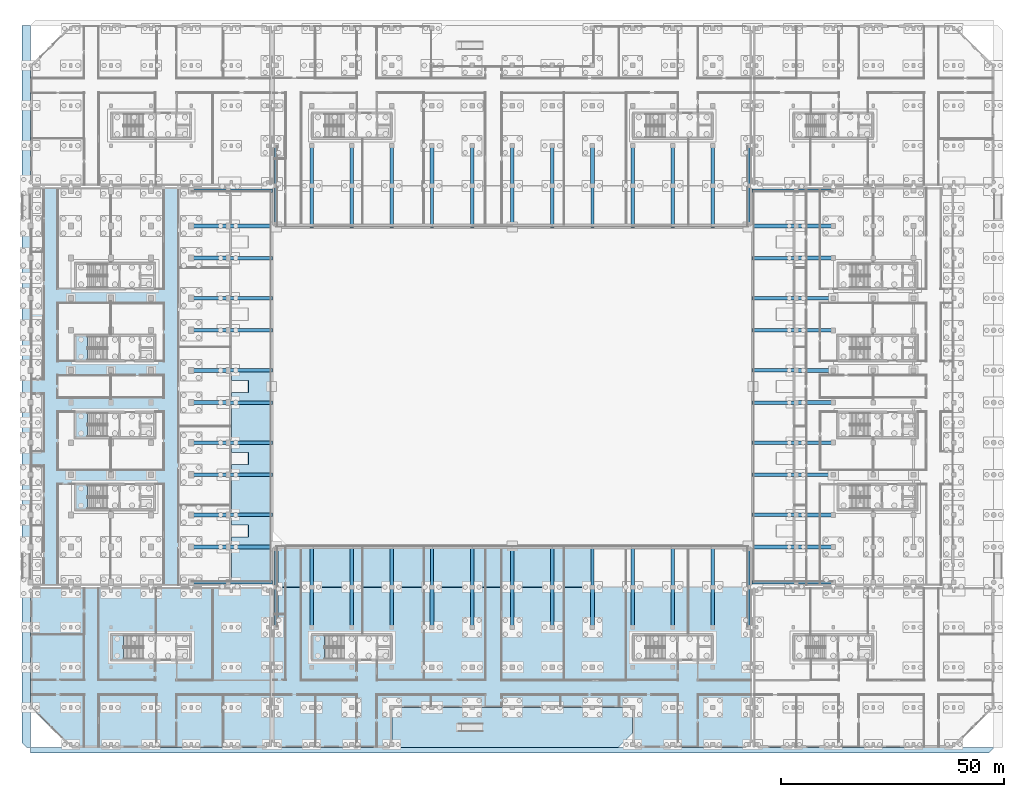
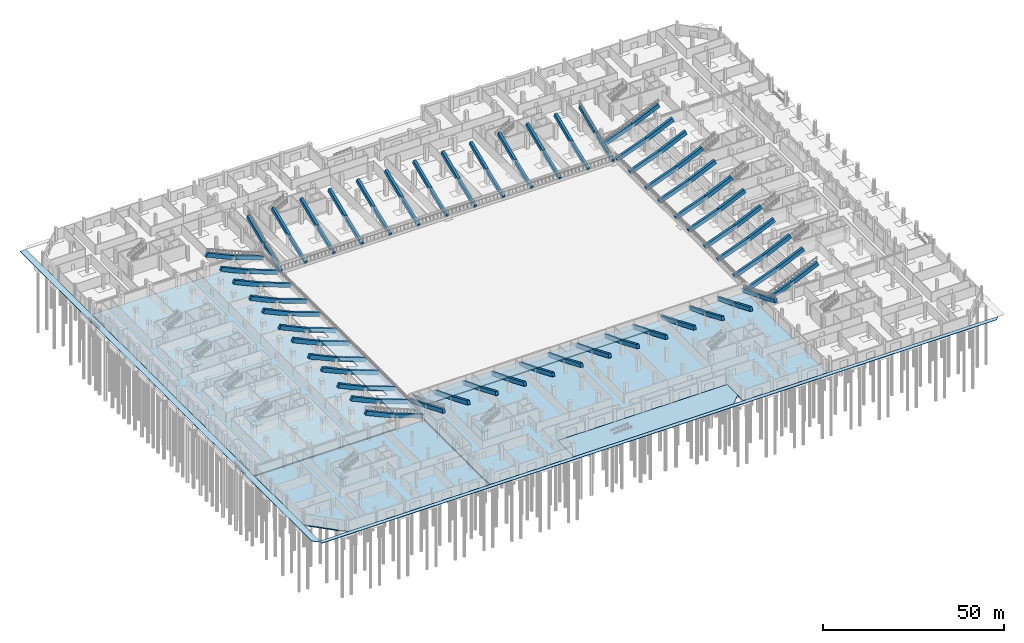
# One storey, part 11 of 53: 100 beams, 25 slabs, 5 elements without a shape of their own.
"""IFC4 building model written with IfcOpenShell, lengths in metres."""

from ifc_helpers import new_model, si_unit, direction, frame, origin, origin_2d, place, context, subcontext, project, spatial, polyline, rectangle, outline, extrude, material, layer, layer_set, material_profile, profile_set, type_object, element, aggregate, save


model = new_model("IFC4")

# Units and contexts
model_context = context("Model", 3, precision=1e-05, world=origin(), true_north=direction((0.0, 1.0)))
body_context = subcontext(model_context, "Body", "Model", "MODEL_VIEW")
ifc_project = project(units=[si_unit("LENGTHUNIT", "METRE"), si_unit("AREAUNIT", "SQUARE_METRE"), si_unit("VOLUMEUNIT", "CUBIC_METRE"), si_unit("PLANEANGLEUNIT", "RADIAN"), si_unit("MASSUNIT", "GRAM", prefix="KILO"), si_unit("THERMODYNAMICTEMPERATUREUNIT", "KELVIN"), si_unit("POWERUNIT", "WATT")], contexts=[model_context])

# Site, building, storey
site_placement = place(None, origin())
site = spatial("IfcSite", under=ifc_project, at=site_placement, CompositionType="ELEMENT")
building_placement = place(site_placement, origin())
building = spatial("IfcBuilding", under=site, at=building_placement, Name="Sindhuravela Promenade Stadium", CompositionType="ELEMENT")
storey_placement = place(building_placement, origin())
storey = spatial("IfcBuildingStorey", under=building, at=storey_placement, Name="L00", CompositionType="ELEMENT", Elevation=0.0)

# Beams
ifc_material_1 = material(Name="Concrete M50", Category="concrete")
ifc_material_profile_1 = material_profile(ifc_material_1, rectangle(XDim=0.75, YDim=1.14990234375, at=origin_2d()), Name="RC 750x1150")
ifc_profile_set_1 = profile_set([ifc_material_profile_1], Name="Concrete M50")
beam_type_1 = type_object("IfcBeamType", Name="RC-RK-750x1150", PredefinedType="USERDEFINED", material=ifc_profile_set_1)
for number, where, z_axis, x_axis, name in (
    (1, (55.10009765625, 45.25, 0.780029296875), (0.0, -0.9329267578556394, 0.3600661945767265), (1.0, 0.0, 0.0), "Lower raker beam RK05 South 25A"),
    (2, (55.10009765625, 116.75, 0.780029296875), (0.0, 0.9329267578556394, 0.3600661945767265), (-1.0, 0.0, 0.0), "Lower raker beam RK05 North 26A"),
    (3, (63.0, 45.25, 0.780029296875), (0.0, -0.9329267578556394, 0.3600661945767265), (1.0, 0.0, 0.0), "Lower raker beam RK05 South 27A"),
    (4, (63.0, 116.75, 0.780029296875), (0.0, 0.9329267578556394, 0.3600661945767265), (-1.0, 0.0, 0.0), "Lower raker beam RK05 North 28A"),
    (5, (72.0, 45.25, 0.780029296875), (0.0, -0.9329267578556394, 0.3600661945767265), (1.0, 0.0, 0.0), "Lower raker beam RK05 South 29A"),
    (6, (72.0, 116.75, 0.780029296875), (0.0, 0.9329267578556394, 0.3600661945767265), (-1.0, 0.0, 0.0), "Lower raker beam RK05 North 30A"),
    (7, (81.0, 45.25, 0.780029296875), (0.0, -0.9329267578556394, 0.3600661945767265), (1.0, 0.0, 0.0), "Lower raker beam RK05 South 31A"),
    (8, (81.0, 116.75, 0.780029296875), (0.0, 0.9329267578556394, 0.3600661945767265), (-1.0, 0.0, 0.0), "Lower raker beam RK05 North 32A"),
    (9, (90.0, 45.25, 0.780029296875), (0.0, -0.9329267578556394, 0.3600661945767265), (1.0, 0.0, 0.0), "Lower raker beam RK05 South 33A"),
    (10, (90.0, 116.75, 0.780029296875), (0.0, 0.9329267578556394, 0.3600661945767265), (-1.0, 0.0, 0.0), "Lower raker beam RK05 North 34A"),
    (11, (99.0, 45.25, 0.780029296875), (0.0, -0.9329267578556394, 0.3600661945767265), (1.0, 0.0, 0.0), "Lower raker beam RK05 South 35A"),
    (12, (99.0, 116.75, 0.780029296875), (0.0, 0.9329267578556394, 0.3600661945767265), (-1.0, 0.0, 0.0), "Lower raker beam RK05 North 36A"),
    (13, (108.0, 45.25, 0.780029296875), (0.0, -0.9329267578556394, 0.3600661945767265), (1.0, 0.0, 0.0), "Lower raker beam RK05 South 37A"),
    (14, (108.0, 116.75, 0.780029296875), (0.0, 0.9329267578556394, 0.3600661945767265), (-1.0, 0.0, 0.0), "Lower raker beam RK05 North 38A"),
    (15, (117.0, 45.25, 0.780029296875), (0.0, -0.9329267578556394, 0.3600661945767265), (1.0, 0.0, 0.0), "Lower raker beam RK05 South 39A"),
    (16, (117.0, 116.75, 0.780029296875), (0.0, 0.9329267578556394, 0.3600661945767265), (-1.0, 0.0, 0.0), "Lower raker beam RK05 North 40A"),
    (17, (126.0, 45.25, 0.780029296875), (0.0, -0.9329267578556394, 0.3600661945767265), (1.0, 0.0, 0.0), "Lower raker beam RK05 South 41A"),
    (18, (126.0, 116.75, 0.780029296875), (0.0, 0.9329267578556394, 0.3600661945767265), (-1.0, 0.0, 0.0), "Lower raker beam RK05 North 42A"),
    (19, (135.0, 45.25, 0.780029296875), (0.0, -0.9329267578556394, 0.3600661945767265), (1.0, 0.0, 0.0), "Lower raker beam RK05 South 43A"),
    (20, (135.0, 116.75, 0.780029296875), (0.0, 0.9329267578556394, 0.3600661945767265), (-1.0, 0.0, 0.0), "Lower raker beam RK05 North 44A"),
    (21, (144.0, 45.25, 0.780029296875), (0.0, -0.9329267578556394, 0.3600661945767265), (1.0, 0.0, 0.0), "Lower raker beam RK05 South 45A"),
    (22, (144.0, 116.75, 0.780029296875), (0.0, 0.9329267578556394, 0.3600661945767265), (-1.0, 0.0, 0.0), "Lower raker beam RK05 North 46A"),
    (23, (153.0, 45.25, 0.780029296875), (0.0, -0.9329267578556394, 0.3600661945767265), (1.0, 0.0, 0.0), "Lower raker beam RK05 South 47A"),
    (24, (153.0, 116.75, 0.780029296875), (0.0, 0.9329267578556394, 0.3600661945767265), (-1.0, 0.0, 0.0), "Lower raker beam RK05 North 48A"),
    (25, (160.89990234375, 45.25, 0.780029296875), (0.0, -0.9329267578556394, 0.3600661945767265), (1.0, 0.0, 0.0), "Lower raker beam RK05 South 49A"),
    (26, (160.89990234375, 116.75, 0.780029296875), (0.0, 0.9329267578556394, 0.3600661945767265), (-1.0, 0.0, 0.0), "Lower raker beam RK05 North 50A"),
):
    element("IfcBeam", number, at=place(storey_placement, frame(where, z_axis=z_axis, x_axis=x_axis)), inside=storey, type_object=beam_type_1, Name=name, ObjectType="RAKER", PredefinedType="USERDEFINED", context=body_context, shape_type="SweptSolid", body=[
        extrude(rectangle(XDim=0.75, YDim=1.14990234375, at=origin_2d()), origin(), (0.0, 0.0, 1.0), 9.9150390625),
    ])
ifc_material_profile_2 = material_profile(ifc_material_1, rectangle(XDim=0.800048828125, YDim=1.25, at=origin_2d()), Name="RC 800x1250")
ifc_profile_set_2 = profile_set([ifc_material_profile_2], Name="Concrete M50")
beam_type_2 = type_object("IfcBeamType", Name="RC-RK-800x1250", PredefinedType="USERDEFINED", material=ifc_profile_set_2)
for number, where, z_axis, x_axis, name in (
    (27, (54.0, 37.10009765625, 0.780029296875), (-0.9384559830604658, 0.0, 0.3453988532957437), (0.0, -1.0, 0.0), "Lower raker beam RK04 West 1A"),
    (28, (54.0, 45.0, 0.780029296875), (-0.9384559830604658, 0.0, 0.3453988532957437), (0.0, -1.0, 0.0), "Lower raker beam RK04 West 2A"),
    (29, (54.0, 52.199951171875, 0.780029296875), (-0.9384559830604658, 0.0, 0.3453988532957437), (0.0, -1.0, 0.0), "Lower raker beam RK04 West 3A"),
    (30, (54.0, 61.199951171875, 0.780029296875), (-0.9384559830604658, 0.0, 0.3453988532957437), (0.0, -1.0, 0.0), "Lower raker beam RK04 West 4A"),
    (31, (54.0, 68.39990234375, 0.780029296875), (-0.9384559830604658, 0.0, 0.3453988532957437), (0.0, -1.0, 0.0), "Lower raker beam RK04 West 5A"),
    (32, (54.0, 77.39990234375, 0.780029296875), (-0.9384559830604658, 0.0, 0.3453988532957437), (0.0, -1.0, 0.0), "Lower raker beam RK04 West 6A"),
    (33, (54.0, 84.60009765625, 0.780029296875), (-0.9384559830604658, 0.0, 0.3453988532957437), (0.0, -1.0, 0.0), "Lower raker beam RK04 West 7A"),
    (34, (54.0, 93.60009765625, 0.780029296875), (-0.9384559830604658, 0.0, 0.3453988532957437), (0.0, -1.0, 0.0), "Lower raker beam RK04 West 8A"),
    (35, (54.0, 100.800048828125, 0.780029296875), (-0.9384559830604658, 0.0, 0.3453988532957437), (0.0, -1.0, 0.0), "Lower raker beam RK04 West 9A"),
    (36, (54.0, 109.800048828125, 0.780029296875), (-0.9384559830604658, 0.0, 0.3453988532957437), (0.0, -1.0, 0.0), "Lower raker beam RK04 West 10A"),
    (37, (54.0, 117.0, 0.780029296875), (-0.9384559830604658, 0.0, 0.3453988532957437), (0.0, -1.0, 0.0), "Lower raker beam RK04 West 11A"),
    (38, (54.0, 124.89990234375, 0.780029296875), (-0.9384559830604658, 0.0, 0.3453988532957437), (0.0, -1.0, 0.0), "Lower raker beam RK04 West 12A"),
    (39, (162.0, 37.10009765625, 0.780029296875), (0.9384559830604658, 0.0, 0.3453988532957437), (0.0, 1.0, 0.0), "Lower raker beam RK04 East 13A"),
    (40, (162.0, 45.0, 0.780029296875), (0.9384559830604658, 0.0, 0.3453988532957437), (0.0, 1.0, 0.0), "Lower raker beam RK04 East 14A"),
    (41, (162.0, 52.199951171875, 0.780029296875), (0.9384559830604658, 0.0, 0.3453988532957437), (0.0, 1.0, 0.0), "Lower raker beam RK04 East 15A"),
    (42, (162.0, 61.199951171875, 0.780029296875), (0.9384559830604658, 0.0, 0.3453988532957437), (0.0, 1.0, 0.0), "Lower raker beam RK04 East 16A"),
    (43, (162.0, 68.39990234375, 0.780029296875), (0.9384559830604658, 0.0, 0.3453988532957437), (0.0, 1.0, 0.0), "Lower raker beam RK04 East 17A"),
    (44, (162.0, 77.39990234375, 0.780029296875), (0.9384559830604658, 0.0, 0.3453988532957437), (0.0, 1.0, 0.0), "Lower raker beam RK04 East 18A"),
    (45, (162.0, 84.60009765625, 0.780029296875), (0.9384559830604658, 0.0, 0.3453988532957437), (0.0, 1.0, 0.0), "Lower raker beam RK04 East 19A"),
    (46, (162.0, 93.60009765625, 0.780029296875), (0.9384559830604658, 0.0, 0.3453988532957437), (0.0, 1.0, 0.0), "Lower raker beam RK04 East 20A"),
    (47, (162.0, 100.800048828125, 0.780029296875), (0.9384559830604658, 0.0, 0.3453988532957437), (0.0, 1.0, 0.0), "Lower raker beam RK04 East 21A"),
    (48, (162.0, 109.800048828125, 0.780029296875), (0.9384559830604658, 0.0, 0.3453988532957437), (0.0, 1.0, 0.0), "Lower raker beam RK04 East 22A"),
    (49, (162.0, 117.0, 0.780029296875), (0.9384559830604658, 0.0, 0.3453988532957437), (0.0, 1.0, 0.0), "Lower raker beam RK04 East 23A"),
    (50, (162.0, 124.89990234375, 0.780029296875), (0.9384559830604658, 0.0, 0.3453988532957437), (0.0, 1.0, 0.0), "Lower raker beam RK04 East 24A"),
):
    element("IfcBeam", number, at=place(storey_placement, frame(where, z_axis=z_axis, x_axis=x_axis)), inside=storey, type_object=beam_type_2, Name=name, ObjectType="RAKER", PredefinedType="USERDEFINED", context=body_context, shape_type="SweptSolid", body=[
        extrude(rectangle(XDim=0.800048828125, YDim=1.25, at=origin_2d()), origin(), (0.0, 0.0, 1.0), 10.336181640625),
    ])
for number, where, z_axis, x_axis, name in (
    (51, (55.10009765625, 36.0, 4.35009765625), (0.0, -0.9212567253920306, 0.38895506928172646), (1.0, 0.0, 0.0), "Lower raker beam RK04 South 25B"),
    (52, (55.10009765625, 126.0, 4.35009765625), (0.0, 0.9212567253920306, 0.38895506928172646), (-1.0, 0.0, 0.0), "Lower raker beam RK04 North 26B"),
    (53, (63.0, 36.0, 4.35009765625), (0.0, -0.9212567253920306, 0.38895506928172646), (1.0, 0.0, 0.0), "Lower raker beam RK04 South 27B"),
    (54, (63.0, 126.0, 4.35009765625), (0.0, 0.9212567253920306, 0.38895506928172646), (-1.0, 0.0, 0.0), "Lower raker beam RK04 North 28B"),
    (55, (72.0, 36.0, 4.35009765625), (0.0, -0.9212567253920306, 0.38895506928172646), (1.0, 0.0, 0.0), "Lower raker beam RK04 South 29B"),
    (56, (72.0, 126.0, 4.35009765625), (0.0, 0.9212567253920306, 0.38895506928172646), (-1.0, 0.0, 0.0), "Lower raker beam RK04 North 30B"),
    (57, (81.0, 36.0, 4.35009765625), (0.0, -0.9212567253920306, 0.38895506928172646), (1.0, 0.0, 0.0), "Lower raker beam RK04 South 31B"),
    (58, (81.0, 126.0, 4.35009765625), (0.0, 0.9212567253920306, 0.38895506928172646), (-1.0, 0.0, 0.0), "Lower raker beam RK04 North 32B"),
    (59, (90.0, 36.0, 4.35009765625), (0.0, -0.9212567253920306, 0.38895506928172646), (1.0, 0.0, 0.0), "Lower raker beam RK04 South 33B"),
    (60, (90.0, 126.0, 4.35009765625), (0.0, 0.9212567253920306, 0.38895506928172646), (-1.0, 0.0, 0.0), "Lower raker beam RK04 North 34B"),
    (61, (99.0, 36.0, 4.35009765625), (0.0, -0.9212567253920306, 0.38895506928172646), (1.0, 0.0, 0.0), "Lower raker beam RK04 South 35B"),
    (62, (99.0, 126.0, 4.35009765625), (0.0, 0.9212567253920306, 0.38895506928172646), (-1.0, 0.0, 0.0), "Lower raker beam RK04 North 36B"),
    (63, (108.0, 36.0, 4.35009765625), (0.0, -0.9212567253920306, 0.38895506928172646), (1.0, 0.0, 0.0), "Lower raker beam RK04 South 37B"),
    (64, (108.0, 126.0, 4.35009765625), (0.0, 0.9212567253920306, 0.38895506928172646), (-1.0, 0.0, 0.0), "Lower raker beam RK04 North 38B"),
    (65, (117.0, 36.0, 4.35009765625), (0.0, -0.9212567253920306, 0.38895506928172646), (1.0, 0.0, 0.0), "Lower raker beam RK04 South 39B"),
    (66, (117.0, 126.0, 4.35009765625), (0.0, 0.9212567253920306, 0.38895506928172646), (-1.0, 0.0, 0.0), "Lower raker beam RK04 North 40B"),
    (67, (126.0, 36.0, 4.35009765625), (0.0, -0.9212567253920306, 0.38895506928172646), (1.0, 0.0, 0.0), "Lower raker beam RK04 South 41B"),
    (68, (126.0, 126.0, 4.35009765625), (0.0, 0.9212567253920306, 0.38895506928172646), (-1.0, 0.0, 0.0), "Lower raker beam RK04 North 42B"),
    (69, (135.0, 36.0, 4.35009765625), (0.0, -0.9212567253920306, 0.38895506928172646), (1.0, 0.0, 0.0), "Lower raker beam RK04 South 43B"),
    (70, (135.0, 126.0, 4.35009765625), (0.0, 0.9212567253920306, 0.38895506928172646), (-1.0, 0.0, 0.0), "Lower raker beam RK04 North 44B"),
    (71, (144.0, 36.0, 4.35009765625), (0.0, -0.9212567253920306, 0.38895506928172646), (1.0, 0.0, 0.0), "Lower raker beam RK04 South 45B"),
    (72, (144.0, 126.0, 4.35009765625), (0.0, 0.9212567253920306, 0.38895506928172646), (-1.0, 0.0, 0.0), "Lower raker beam RK04 North 46B"),
    (73, (153.0, 36.0, 4.35009765625), (0.0, -0.9212567253920306, 0.38895506928172646), (1.0, 0.0, 0.0), "Lower raker beam RK04 South 47B"),
    (74, (153.0, 126.0, 4.35009765625), (0.0, 0.9212567253920306, 0.38895506928172646), (-1.0, 0.0, 0.0), "Lower raker beam RK04 North 48B"),
    (75, (160.89990234375, 36.0, 4.35009765625), (0.0, -0.9212567253920306, 0.38895506928172646), (1.0, 0.0, 0.0), "Lower raker beam RK04 South 49B"),
    (76, (160.89990234375, 126.0, 4.35009765625), (0.0, 0.9212567253920306, 0.38895506928172646), (-1.0, 0.0, 0.0), "Lower raker beam RK04 North 50B"),
):
    element("IfcBeam", number, at=place(storey_placement, frame(where, z_axis=z_axis, x_axis=x_axis)), inside=storey, type_object=beam_type_2, Name=name, ObjectType="RAKER", PredefinedType="USERDEFINED", context=body_context, shape_type="SweptSolid", body=[
        extrude(rectangle(XDim=0.800048828125, YDim=1.25, at=origin_2d()), origin(), (0.0, 0.0, 1.0), 9.769287109375),
    ])
ifc_material_profile_3 = material_profile(ifc_material_1, rectangle(XDim=0.85009765625, YDim=1.35009765625, at=origin_2d()), Name="RC 850x1350")
ifc_profile_set_3 = profile_set([ifc_material_profile_3], Name="Concrete M50")
beam_type_3 = type_object("IfcBeamType", Name="RC-RK-850x1350", PredefinedType="USERDEFINED", material=ifc_profile_set_3)
for number, where, z_axis, x_axis, name in (
    (77, (44.300048828125, 37.10009765625, 4.35009765625), (-0.9092466553422824, 0.0, 0.41625775638283624), (0.0, -1.0, 0.0), "Lower raker beam RK03 West 1B"),
    (78, (44.300048828125, 45.0, 4.35009765625), (-0.9092466553422824, 0.0, 0.41625775638283624), (0.0, -1.0, 0.0), "Lower raker beam RK03 West 2B"),
    (79, (44.300048828125, 52.199951171875, 4.35009765625), (-0.9092466553422824, 0.0, 0.41625775638283624), (0.0, -1.0, 0.0), "Lower raker beam RK03 West 3B"),
    (80, (44.300048828125, 61.199951171875, 4.35009765625), (-0.9092466553422824, 0.0, 0.41625775638283624), (0.0, -1.0, 0.0), "Lower raker beam RK03 West 4B"),
    (81, (44.300048828125, 68.39990234375, 4.35009765625), (-0.9092466553422824, 0.0, 0.41625775638283624), (0.0, -1.0, 0.0), "Lower raker beam RK03 West 5B"),
    (82, (44.300048828125, 77.39990234375, 4.35009765625), (-0.9092466553422824, 0.0, 0.41625775638283624), (0.0, -1.0, 0.0), "Lower raker beam RK03 West 6B"),
    (83, (44.300048828125, 84.60009765625, 4.35009765625), (-0.9092466553422824, 0.0, 0.41625775638283624), (0.0, -1.0, 0.0), "Lower raker beam RK03 West 7B"),
    (84, (44.300048828125, 93.60009765625, 4.35009765625), (-0.9092466553422824, 0.0, 0.41625775638283624), (0.0, -1.0, 0.0), "Lower raker beam RK03 West 8B"),
    (85, (44.300048828125, 100.800048828125, 4.35009765625), (-0.9092466553422824, 0.0, 0.41625775638283624), (0.0, -1.0, 0.0), "Lower raker beam RK03 West 9B"),
    (86, (44.300048828125, 109.800048828125, 4.35009765625), (-0.9092466553422824, 0.0, 0.41625775638283624), (0.0, -1.0, 0.0), "Lower raker beam RK03 West 10B"),
    (87, (44.300048828125, 117.0, 4.35009765625), (-0.9092466553422824, 0.0, 0.41625775638283624), (0.0, -1.0, 0.0), "Lower raker beam RK03 West 11B"),
    (88, (44.300048828125, 124.89990234375, 4.35009765625), (-0.9092466553422824, 0.0, 0.41625775638283624), (0.0, -1.0, 0.0), "Lower raker beam RK03 West 12B"),
    (89, (171.699951171875, 37.10009765625, 4.35009765625), (0.9092466553422824, 0.0, 0.41625775638283624), (0.0, 1.0, 0.0), "Lower raker beam RK03 East 13B"),
    (90, (171.699951171875, 45.0, 4.35009765625), (0.9092466553422824, 0.0, 0.41625775638283624), (0.0, 1.0, 0.0), "Lower raker beam RK03 East 14B"),
    (91, (171.699951171875, 52.199951171875, 4.35009765625), (0.9092466553422824, 0.0, 0.41625775638283624), (0.0, 1.0, 0.0), "Lower raker beam RK03 East 15B"),
    (92, (171.699951171875, 61.199951171875, 4.35009765625), (0.9092466553422824, 0.0, 0.41625775638283624), (0.0, 1.0, 0.0), "Lower raker beam RK03 East 16B"),
    (93, (171.699951171875, 68.39990234375, 4.35009765625), (0.9092466553422824, 0.0, 0.41625775638283624), (0.0, 1.0, 0.0), "Lower raker beam RK03 East 17B"),
    (94, (171.699951171875, 77.39990234375, 4.35009765625), (0.9092466553422824, 0.0, 0.41625775638283624), (0.0, 1.0, 0.0), "Lower raker beam RK03 East 18B"),
    (95, (171.699951171875, 84.60009765625, 4.35009765625), (0.9092466553422824, 0.0, 0.41625775638283624), (0.0, 1.0, 0.0), "Lower raker beam RK03 East 19B"),
    (96, (171.699951171875, 93.60009765625, 4.35009765625), (0.9092466553422824, 0.0, 0.41625775638283624), (0.0, 1.0, 0.0), "Lower raker beam RK03 East 20B"),
    (97, (171.699951171875, 100.800048828125, 4.35009765625), (0.9092466553422824, 0.0, 0.41625775638283624), (0.0, 1.0, 0.0), "Lower raker beam RK03 East 21B"),
    (98, (171.699951171875, 109.800048828125, 4.35009765625), (0.9092466553422824, 0.0, 0.41625775638283624), (0.0, 1.0, 0.0), "Lower raker beam RK03 East 22B"),
    (99, (171.699951171875, 117.0, 4.35009765625), (0.9092466553422824, 0.0, 0.41625775638283624), (0.0, 1.0, 0.0), "Lower raker beam RK03 East 23B"),
    (100, (171.699951171875, 124.89990234375, 4.35009765625), (0.9092466553422824, 0.0, 0.41625775638283624), (0.0, 1.0, 0.0), "Lower raker beam RK03 East 24B"),
):
    element("IfcBeam", number, at=place(storey_placement, frame(where, z_axis=z_axis, x_axis=x_axis)), inside=storey, type_object=beam_type_3, Name=name, ObjectType="RAKER", PredefinedType="USERDEFINED", context=body_context, shape_type="SweptSolid", body=[
        extrude(rectangle(XDim=0.85009765625, YDim=1.35009765625, at=origin_2d()), origin(), (0.0, 0.0, 1.0), 9.12841796875),
    ])

# Slabs
ifc_material_2 = material(Name="Concrete M40", Category="concrete")
ifc_layer_1 = layer(ifc_material_2, 0.340087890625)
ifc_layer_set_1 = layer_set([ifc_layer_1], Name="Concrete M40")
slab_type_1 = type_object("IfcSlabType", Name="SL-BASE-340", PredefinedType="BASESLAB", material=ifc_layer_set_1)
slab_1_placement = place(storey_placement, frame((0.0, 0.0, -0.340087890625)))
element("IfcSlab", 101, at=slab_1_placement, inside=storey, type_object=slab_type_1, Name="Floor slab SOUTH L00", PredefinedType="BASESLAB", context=body_context, shape_type="SweptSolid", body=[
    extrude(outline(polyline([(54.25, 9.0), (54.25, 0.0), (81.0, 0.0), (81.0, 9.0), (135.0, 9.0), (135.0, 0.0), (161.75, 0.0), (161.75, 45.0), (54.25, 45.0), (54.25, 9.0)])), origin(), (0.0, 0.0, 1.0), 0.340087890625),
])
slab_2_placement = place(storey_placement, frame((0.0, 0.0, -0.340087890625)))
element("IfcSlab", 102, at=slab_2_placement, inside=storey, type_object=slab_type_1, Name="Floor slab Pavilion SW L00", PredefinedType="BASESLAB", context=body_context, shape_type="SweptSolid", body=[
    extrude(outline(polyline([(9.0, 0.0), (54.0, 0.0), (54.0, 36.0), (0.0, 36.0), (0.0, 9.0), (9.0, 0.0)])), origin(), (0.0, 0.0, 1.0), 0.340087890625),
])
ifc_layer_2 = layer(ifc_material_2, 0.3798828125)
ifc_layer_set_2 = layer_set([ifc_layer_2], Name="Concrete M40")
slab_type_2 = type_object("IfcSlabType", Name="SL-BASE-380", PredefinedType="BASESLAB", material=ifc_layer_set_2)
slab_3_placement = place(storey_placement, frame((0.0, 0.0, -0.3798828125)))
element("IfcSlab", 103, at=slab_3_placement, inside=storey, type_object=slab_type_2, Name="Floor slab WEST L00", PredefinedType="BASESLAB", context=body_context, shape_type="SweptSolid", body=[
    extrude(outline(polyline([(0.0, 36.25), (45.0, 36.25), (45.0, 125.75), (0.0, 125.75), (0.0, 36.25)])), origin(), (0.0, 0.0, 1.0), 0.3798828125),
])

# Stair, slab
stair_type = type_object("IfcStairType", Name="ST-CORE-DOGLEG", PredefinedType="HALF_TURN_STAIR", material=ifc_material_2)
stair_1_placement = place(storey_placement, origin())
stair_1 = element("IfcStair", 104, at=stair_1_placement, inside=storey, type_object=stair_type, Name="Protected escape stair ST01 (L00)", PredefinedType="HALF_TURN_STAIR")
ifc_layer_3 = layer(ifc_material_2, 0.219970703125)
ifc_layer_set_3 = layer_set([ifc_layer_3], Name="Concrete M40")
slab_type_3 = type_object("IfcSlabType", Name="SL-LND-220", PredefinedType="LANDING", material=ifc_layer_set_3)
slab_4_placement = place(storey_placement, frame((0.0, 0.0, 2.179931640625)))
slab_4 = element("IfcSlab", 105, at=slab_4_placement, type_object=slab_type_3, Name="Stair ST01 half-landing (L00)", PredefinedType="LANDING", context=body_context, shape_type="SweptSolid", body=[
    extrude(outline(polyline([(10.179931640625, 53.47998046875), (12.751953125, 53.47998046875), (12.751953125, 58.919921875), (10.179931640625, 58.919921875), (10.179931640625, 53.47998046875)])), origin(), (0.0, 0.0, 1.0), 0.219970703125),
])
aggregate(stair_1, [slab_4])

stair_2_placement = place(storey_placement, origin())
stair_2 = element("IfcStair", 106, at=stair_2_placement, inside=storey, type_object=stair_type, Name="Protected escape stair ST02 (L00)", PredefinedType="HALF_TURN_STAIR")
slab_5_placement = place(storey_placement, frame((0.0, 0.0, 2.179931640625)))
slab_5 = element("IfcSlab", 107, at=slab_5_placement, type_object=slab_type_3, Name="Stair ST02 half-landing (L00)", PredefinedType="LANDING", context=body_context, shape_type="SweptSolid", body=[
    extrude(outline(polyline([(10.179931640625, 69.679931640625), (12.751953125, 69.679931640625), (12.751953125, 75.1201171875), (10.179931640625, 75.1201171875), (10.179931640625, 69.679931640625)])), origin(), (0.0, 0.0, 1.0), 0.219970703125),
])
aggregate(stair_2, [slab_5])

stair_3_placement = place(storey_placement, origin())
stair_3 = element("IfcStair", 108, at=stair_3_placement, inside=storey, type_object=stair_type, Name="Protected escape stair ST03 (L00)", PredefinedType="HALF_TURN_STAIR")
slab_6_placement = place(storey_placement, frame((0.0, 0.0, 2.179931640625)))
slab_6 = element("IfcSlab", 109, at=slab_6_placement, type_object=slab_type_3, Name="Stair ST03 half-landing (L00)", PredefinedType="LANDING", context=body_context, shape_type="SweptSolid", body=[
    extrude(outline(polyline([(10.179931640625, 86.8798828125), (12.751953125, 86.8798828125), (12.751953125, 92.320068359375), (10.179931640625, 92.320068359375), (10.179931640625, 86.8798828125)])), origin(), (0.0, 0.0, 1.0), 0.219970703125),
])
aggregate(stair_3, [slab_6])

stair_4_placement = place(storey_placement, origin())
stair_4 = element("IfcStair", 110, at=stair_4_placement, inside=storey, type_object=stair_type, Name="Protected escape stair ST11 (L00)", PredefinedType="HALF_TURN_STAIR")
slab_7_placement = place(storey_placement, frame((0.0, 0.0, 2.179931640625)))
slab_7 = element("IfcSlab", 111, at=slab_7_placement, type_object=slab_type_3, Name="Stair ST11 half-landing (L00)", PredefinedType="LANDING", context=body_context, shape_type="SweptSolid", body=[
    extrude(outline(polyline([(63.280029296875, 19.780029296875), (65.85205078125, 19.780029296875), (65.85205078125, 25.219970703125), (63.280029296875, 25.219970703125), (63.280029296875, 19.780029296875)])), origin(), (0.0, 0.0, 1.0), 0.219970703125),
])
aggregate(stair_4, [slab_7])

stair_5_placement = place(storey_placement, origin())
stair_5 = element("IfcStair", 112, at=stair_5_placement, inside=storey, type_object=stair_type, Name="Protected escape stair GS01 (L00)", PredefinedType="HALF_TURN_STAIR")
slab_8_placement = place(storey_placement, frame((0.0, 0.0, 2.179931640625)))
slab_8 = element("IfcSlab", 113, at=slab_8_placement, type_object=slab_type_3, Name="Stair GS01 half-landing (L00)", PredefinedType="LANDING", context=body_context, shape_type="SweptSolid", body=[
    extrude(outline(polyline([(18.280029296875, 19.780029296875), (20.85205078125, 19.780029296875), (20.85205078125, 25.219970703125), (18.280029296875, 25.219970703125), (18.280029296875, 19.780029296875)])), origin(), (0.0, 0.0, 1.0), 0.219970703125),
])
aggregate(stair_5, [slab_8])

# Slabs
ifc_material_3 = material(Name="Natural turf and porous promenade stone", Category="masonry")
ifc_layer_4 = layer(ifc_material_3, 0.139892578125)
ifc_layer_set_4 = layer_set([ifc_layer_4], Name="Natural turf and porous promenade stone")
slab_type_4 = type_object("IfcSlabType", Name="SL-PAV-140", PredefinedType="USERDEFINED", material=ifc_layer_set_4)
slab_9_placement = place(storey_placement, frame((0.0, 0.0, -0.139892578125)))
element("IfcSlab", 114, at=slab_9_placement, inside=storey, type_object=slab_type_4, Name="South landscaped civic court stone paving", ObjectType="PAVING", PredefinedType="USERDEFINED", context=body_context, shape_type="SweptSolid", body=[
    extrude(outline(polyline([(81.0, 0.0), (131.800048828125, 0.0), (135.0, 3.199951171875), (135.0, 9.0), (81.0, 9.0), (81.0, 0.0)])), origin(), (0.0, 0.0, 1.0), 0.139892578125),
])
slab_10_placement = place(storey_placement, frame((0.0, 0.0, -0.139892578125)))
element("IfcSlab", 115, at=slab_10_placement, inside=storey, type_object=slab_type_4, Name="West boulevard threshold stone paving", ObjectType="PAVING", PredefinedType="USERDEFINED", context=body_context, shape_type="SweptSolid", body=[
    extrude(outline(polyline([(-0.85009765625, 0.0), (0.0, 0.0), (0.0, 162.0), (-1.949951171875, 162.0), (-1.949951171875, 1.10009765625), (-0.85009765625, 0.0)])), origin(), (0.0, 0.0, 1.0), 0.139892578125),
])
slab_11_placement = place(storey_placement, frame((0.0, 0.0, -0.139892578125)))
element("IfcSlab", 116, at=slab_11_placement, inside=storey, type_object=slab_type_4, Name="South park plaza threshold stone paving", ObjectType="PAVING", PredefinedType="USERDEFINED", context=body_context, shape_type="SweptSolid", body=[
    extrude(outline(polyline([(0.0, -1.199951171875), (214.89990234375, -1.199951171875), (216.0, -0.10009765625), (216.0, 0.0), (0.0, 0.0), (0.0, -1.199951171875)])), origin(), (0.0, 0.0, 1.0), 0.139892578125),
])
ifc_material_4 = material(Name="Precast concrete M50", Category="concrete")
ifc_layer_5 = layer(ifc_material_4, 0.260009765625)
ifc_layer_set_5 = layer_set([ifc_layer_5], Name="Precast concrete M50")
slab_type_5 = type_object("IfcSlabType", Name="SL-TR1-260", PredefinedType="USERDEFINED", material=ifc_layer_set_5)
slab_12_placement = place(storey_placement, frame((54.0, 37.10009765625, 1.449951171875), z_axis=(0.3431786080101595, 0.0, 0.9392701650772313), x_axis=(0.0, 1.0, 0.0)))
element("IfcSlab", 117, at=slab_12_placement, inside=storey, type_object=slab_type_5, Name="Stand lower tier West front bay 1", ObjectType="SEATING TIER", PredefinedType="USERDEFINED", context=body_context, shape_type="SweptSolid", body=[
    extrude(outline(polyline([(0.0, 0.0), (7.89990234375, 0.0), (7.89990234375, 9.5286228655406), (0.0, 9.5286228655406), (0.0, 0.0)])), origin(), (0.0, 0.0, -1.0), 0.260009765625),
])
slab_13_placement = place(storey_placement, frame((54.0, 45.0, 1.449951171875), z_axis=(0.3431842460674465, 0.0, 0.9392681050962597), x_axis=(0.0, 1.0, 0.0)))
element("IfcSlab", 118, at=slab_13_placement, inside=storey, type_object=slab_type_5, Name="Stand lower tier West front bay 2", ObjectType="SEATING TIER", PredefinedType="USERDEFINED", context=body_context, shape_type="SweptSolid", body=[
    extrude(outline(polyline([(0.0, 0.0), (7.199951171875, 0.0), (7.199951171875, 9.528622865368936), (4.949951171875, 9.528622865368936), (4.949951171875, 5.526591029847331), (2.25, 5.526591029847331), (2.25, 9.528622865368936), (0.0, 9.528622865368936), (0.0, 0.0)])), origin(), (0.0, 0.0, -1.0), 0.260009765625),
])
slab_14_placement = place(storey_placement, frame((54.0, 52.199951171875, 1.449951171875), z_axis=(0.3431786080101595, 0.0, 0.9392701650772314), x_axis=(0.0, 1.0, 0.0)))
element("IfcSlab", 119, at=slab_14_placement, inside=storey, type_object=slab_type_5, Name="Stand lower tier West front bay 3", ObjectType="SEATING TIER", PredefinedType="USERDEFINED", context=body_context, shape_type="SweptSolid", body=[
    extrude(outline(polyline([(0.0, 0.0), (9.0, 0.0), (9.0, 9.528622865540601), (0.0, 9.528622865540601), (0.0, 0.0)])), origin(), (0.0, 0.0, -1.0), 0.260009765625),
])
slab_15_placement = place(storey_placement, frame((54.0, 61.199951171875, 1.449951171875), z_axis=(0.3431842460674465, 0.0, 0.9392681050962597), x_axis=(0.0, 1.0, 0.0)))
element("IfcSlab", 120, at=slab_15_placement, inside=storey, type_object=slab_type_5, Name="Stand lower tier West front bay 4", ObjectType="SEATING TIER", PredefinedType="USERDEFINED", context=body_context, shape_type="SweptSolid", body=[
    extrude(outline(polyline([(0.0, 0.0), (7.199951171875, 0.0), (7.199951171875, 9.528622865368936), (4.949951171875, 9.528622865368936), (4.949951171875, 5.526591029847331), (2.25, 5.526591029847331), (2.25, 9.528622865368936), (0.0, 9.528622865368936), (0.0, 0.0)])), origin(), (0.0, 0.0, -1.0), 0.260009765625),
])
slab_16_placement = place(storey_placement, frame((54.0, 68.39990234375, 1.449951171875), z_axis=(0.3431786080101595, 0.0, 0.9392701650772314), x_axis=(0.0, 1.0, 0.0)))
element("IfcSlab", 121, at=slab_16_placement, inside=storey, type_object=slab_type_5, Name="Stand lower tier West front bay 5", ObjectType="SEATING TIER", PredefinedType="USERDEFINED", context=body_context, shape_type="SweptSolid", body=[
    extrude(outline(polyline([(0.0, 0.0), (9.0, 0.0), (9.0, 9.528622865540601), (0.0, 9.528622865540601), (0.0, 0.0)])), origin(), (0.0, 0.0, -1.0), 0.260009765625),
])
slab_17_placement = place(storey_placement, frame((54.0, 77.39990234375, 1.449951171875), z_axis=(0.34318424644564116, 0.0, 0.9392681049580772), x_axis=(0.0, 1.0, 0.0)))
element("IfcSlab", 122, at=slab_17_placement, inside=storey, type_object=slab_type_5, Name="Stand lower tier West front bay 6", ObjectType="SEATING TIER", PredefinedType="USERDEFINED", context=body_context, shape_type="SweptSolid", body=[
    extrude(outline(polyline([(0.0, 0.0), (7.2001953125, 0.0), (7.2001953125, 9.528622865368913), (4.9501953125, 9.528622865368913), (4.9501953125, 5.526591029847369), (2.25, 5.526591029847369), (2.25, 9.528622865368913), (0.0, 9.528622865368913), (0.0, 0.0)])), origin(), (0.0, 0.0, -1.0), 0.260009765625),
])
slab_18_placement = place(storey_placement, frame((63.0, 45.25, 1.449951171875), z_axis=(0.0, 0.35830694337669755, 0.9336038422843214), x_axis=(-1.0, 0.0, 0.0)))
element("IfcSlab", 123, at=slab_18_placement, inside=storey, type_object=slab_type_5, Name="Stand lower tier South front bay 23", ObjectType="SEATING TIER", PredefinedType="USERDEFINED", context=body_context, shape_type="SweptSolid", body=[
    extrude(outline(polyline([(0.0, 0.0), (7.89990234375, 0.0), (7.89990234375, 9.907842685573469), (0.0, 9.907842685573469), (0.0, 0.0)])), origin(), (0.0, 0.0, -1.0), 0.260009765625),
])
for number, where, z_axis, x_axis, name in (
    (124, (72.0, 45.25, 1.449951171875), (0.0, 0.35830694337669755, 0.9336038422843214), (-1.0, 0.0, 0.0), "Stand lower tier South front bay 24"),
    (125, (81.0, 45.25, 1.449951171875), (0.0, 0.35830694337669755, 0.9336038422843214), (-1.0, 0.0, 0.0), "Stand lower tier South front bay 25"),
    (126, (90.0, 45.25, 1.449951171875), (0.0, 0.35830694337669755, 0.9336038422843214), (-1.0, 0.0, 0.0), "Stand lower tier South front bay 26"),
    (127, (99.0, 45.25, 1.449951171875), (0.0, 0.35830694337669755, 0.9336038422843214), (-1.0, 0.0, 0.0), "Stand lower tier South front bay 27"),
    (128, (108.0, 45.25, 1.449951171875), (0.0, 0.35830694337669755, 0.9336038422843214), (-1.0, 0.0, 0.0), "Stand lower tier South front bay 28"),
    (129, (117.0, 45.25, 1.449951171875), (0.0, 0.35830694337669755, 0.9336038422843214), (-1.0, 0.0, 0.0), "Stand lower tier South front bay 29"),
    (130, (126.0, 45.25, 1.449951171875), (0.0, 0.35830694337669755, 0.9336038422843214), (-1.0, 0.0, 0.0), "Stand lower tier South front bay 30"),
):
    element("IfcSlab", number, at=place(storey_placement, frame(where, z_axis=z_axis, x_axis=x_axis)), inside=storey, type_object=slab_type_5, Name=name, ObjectType="SEATING TIER", PredefinedType="USERDEFINED", context=body_context, shape_type="SweptSolid", body=[
        extrude(outline(polyline([(0.0, 0.0), (9.0, 0.0), (9.0, 9.907842685573469), (0.0, 9.907842685573469), (0.0, 0.0)])), origin(), (0.0, 0.0, -1.0), 0.260009765625),
    ])

save(model, "model.ifc")
